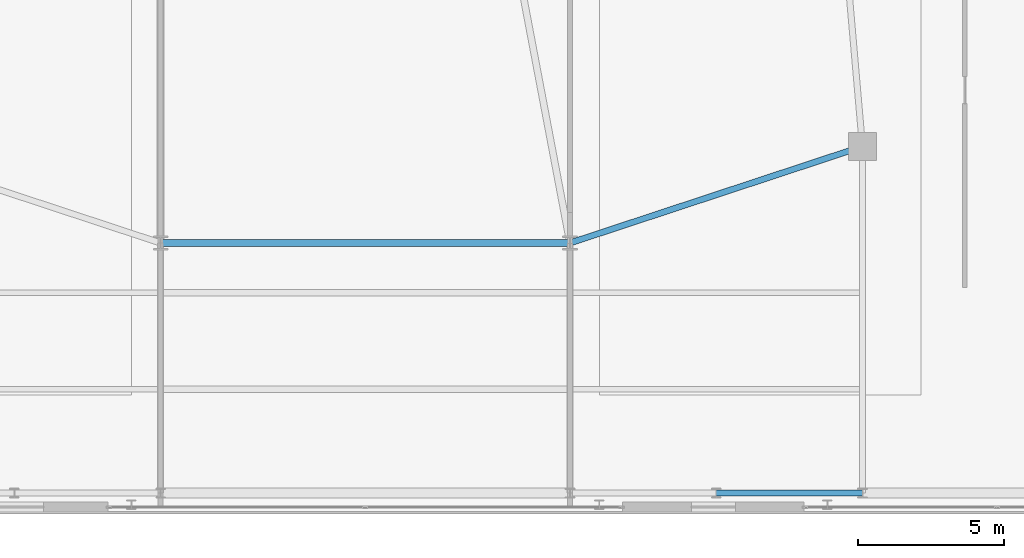
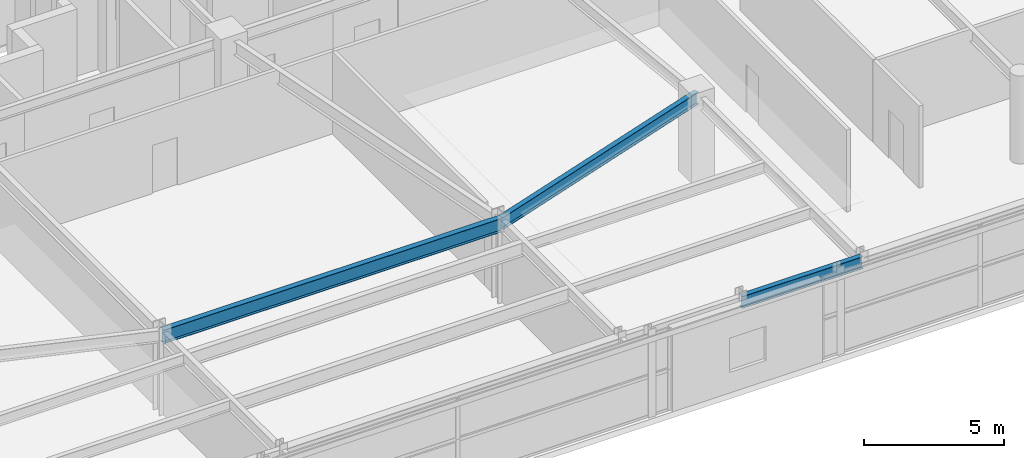
# One storey, part 15 of 26: 3 beams.
"""IFC4 building model written with IfcOpenShell, lengths in metres."""

from ifc_helpers import new_model, si_unit, direction, frame, origin, origin_2d, place, context, subcontext, project, spatial, i_section, extrude, source, transform, mapped, material, material_profile, profile_set, type_object, element, save


model = new_model("IFC4")

# Units and contexts
model_context = context("Model", 3, precision=1e-05, world=origin(), true_north=direction((0.0, 1.0)))
body_context = subcontext(model_context, "Body", "Model", "MODEL_VIEW")
ifc_project = project(units=[si_unit("LENGTHUNIT", "METRE"), si_unit("AREAUNIT", "SQUARE_METRE"), si_unit("VOLUMEUNIT", "CUBIC_METRE"), si_unit("PLANEANGLEUNIT", "RADIAN"), si_unit("MASSUNIT", "GRAM", prefix="KILO")], contexts=[model_context])

# Site, building, storey
site_placement = place(None, origin())
site = spatial("IfcSite", under=ifc_project, at=site_placement, CompositionType="ELEMENT")
building_placement = place(site_placement, origin())
building = spatial("IfcBuilding", under=site, at=building_placement, Name="Taldren Reach Tower", CompositionType="ELEMENT")
storey_placement = place(building_placement, frame((0.0, 0.0, 4.550048828125)))
storey = spatial("IfcBuildingStorey", under=building, at=storey_placement, Name="L01", CompositionType="ELEMENT", Elevation=4.550048828125)

# Beams
ifc_material = material(Name="Steel Gr 350 (350PLUS)", Category="steel")
ifc_material_profile_1 = material_profile(ifc_material, i_section(OverallWidth=0.208984375, OverallDepth=0.532958984375, WebThickness=0.01025390625, FlangeThickness=0.015625, at=origin_2d()), Name="530UB92.4")
ifc_profile_set_1 = profile_set([ifc_material_profile_1], Name="Steel Gr 350 (350PLUS)")
beam_type_1 = type_object("IfcBeamType", Name="BM-UB530A", PredefinedType="BEAM", material=ifc_profile_set_1)
shared_shape_1 = source(origin(), body_context, "Body", "SweptSolid", [
    extrude(i_section(OverallWidth=0.208984375, OverallDepth=0.532958984375, WebThickness=0.01025390625, FlangeThickness=0.015625, at=origin_2d()), origin(), (0.0, 0.0, 1.0), 10.530517578125),
])
beam_1_placement = place(storey_placement, frame((42.0, 9.199951171875, 3.323486328125), z_axis=(0.949627269203, 0.313381635689, 0.0), x_axis=(-0.313381635689, 0.949627269203, 0.0)))
element("IfcBeam", 1, at=beam_1_placement, inside=storey, type_object=beam_type_1, Name="Core-spine girder L01-SP12", PredefinedType="BEAM", context=body_context, shape_type="MappedRepresentation", body=[
    mapped(shared_shape_1, transform((0.0, 0.0, 0.0), scale=1.0)),
])
ifc_material_profile_2 = material_profile(ifc_material, i_section(OverallWidth=0.22802734375, OverallDepth=0.60205078125, WebThickness=0.010498046875, FlangeThickness=0.014892578125, at=origin_2d()), Name="610UB101")
ifc_profile_set_2 = profile_set([ifc_material_profile_2], Name="Steel Gr 350 (350PLUS)")
beam_type_2 = type_object("IfcBeamType", Name="BM-UB610B", PredefinedType="BEAM", material=ifc_profile_set_2)
shared_shape_2 = source(origin(), body_context, "Body", "SweptSolid", [
    extrude(i_section(OverallWidth=0.22802734375, OverallDepth=0.60205078125, WebThickness=0.010498046875, FlangeThickness=0.014892578125, at=origin_2d()), origin(), (0.0, 0.0, 1.0), 14.0),
])
beam_2_placement = place(storey_placement, frame((28.0, 9.199951171875, 3.2890625), z_axis=(1.0, 0.0, 0.0), x_axis=(0.0, 1.0, 0.0)))
element("IfcBeam", 2, at=beam_2_placement, inside=storey, type_object=beam_type_2, Name="Core-spine girder L01-SP11", PredefinedType="BEAM", context=body_context, shape_type="MappedRepresentation", body=[
    mapped(shared_shape_2, transform((0.0, 0.0, 0.0), scale=1.0)),
])
ifc_material_profile_3 = material_profile(ifc_material, i_section(OverallWidth=0.208984375, OverallDepth=0.528076171875, WebThickness=0.009521484375, FlangeThickness=0.01318359375, at=origin_2d()), Name="530UB82.0")
ifc_profile_set_3 = profile_set([ifc_material_profile_3], Name="Steel Gr 350 (350PLUS)")
beam_type_3 = type_object("IfcBeamType", Name="SP-UB530B", PredefinedType="SPANDREL", material=ifc_profile_set_3)
shared_shape_3 = source(origin(), body_context, "Body", "SweptSolid", [
    extrude(i_section(OverallWidth=0.208984375, OverallDepth=0.528076171875, WebThickness=0.009521484375, FlangeThickness=0.01318359375, at=origin_2d()), origin(), (0.0, 0.0, 1.0), 5.0),
])
beam_3_placement = place(storey_placement, frame((47.0, 0.64990234375, 3.325927734375), z_axis=(1.0, 0.0, 0.0), x_axis=(0.0, 1.0, 0.0)))
element("IfcBeam", 3, at=beam_3_placement, inside=storey, type_object=beam_type_3, Name="Podium beam L01-PD06", PredefinedType="SPANDREL", context=body_context, shape_type="MappedRepresentation", body=[
    mapped(shared_shape_3, transform((0.0, 0.0, 0.0), scale=1.0)),
])

save(model, "model.ifc")
